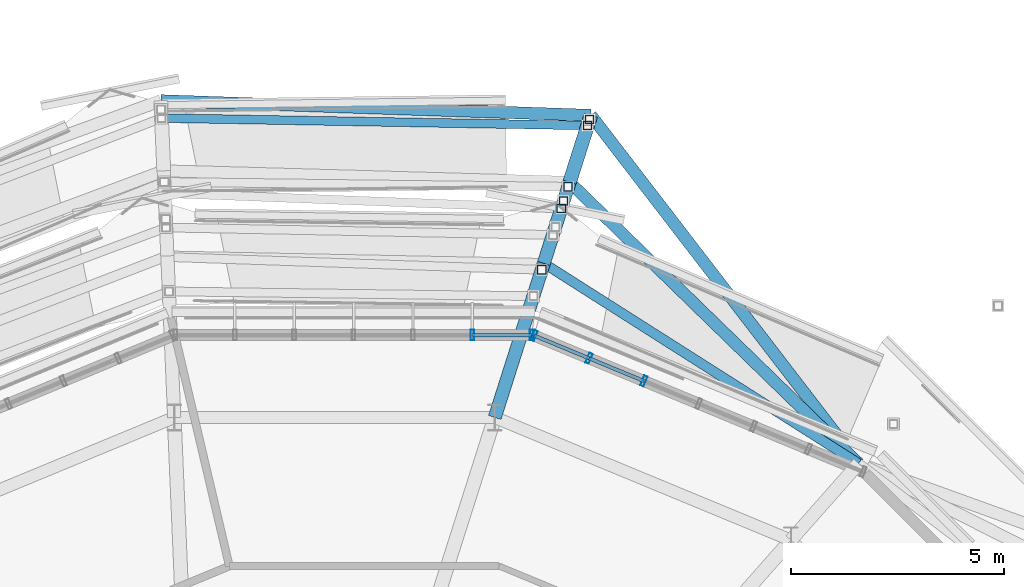
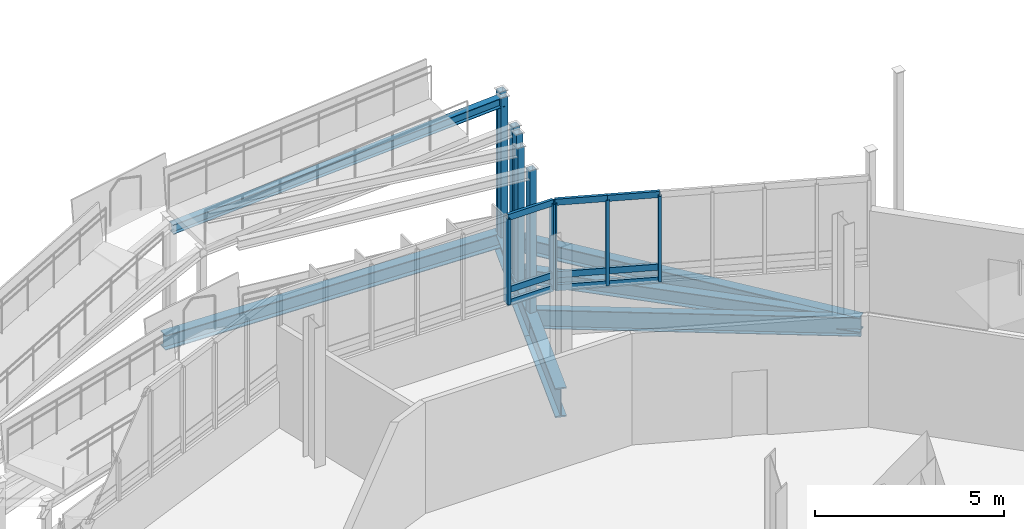
# One storey, part 57 of 139: 20 members, 8 beams, 2 elements without a shape of their own.
"""IFC4 building model written with IfcOpenShell, lengths in metres."""

import ifcopenshell
import ifcopenshell.guid

model = None  # the IFC model being written
_history = None  # IfcOwnerHistory: only IFC2X3 demands one
_inside = {}  # id of a spatial element -> (the spatial element, [elements in it])
_under = {}  # id of a project, library or spatial element -> (it, [spatial elements below it])
_declared = {}  # id of a project -> (the project, [libraries it declares])
_typed = {}  # id of a type object -> (the type object, [elements of that type])
_made_of = {}  # id of a material, layer set ... -> (it, [elements and type objects made of it])


def new_model(schema):
    """Start an empty IFC model of exactly this schema.

    Asked for "IFC4X3", IfcOpenShell would pick the latest addendum, in which some entities
    have other attributes; the version numbers below select the first issue.
    IFC2X3 requires an IfcOwnerHistory on every rooted entity: one is made here for all.
    """
    global model, _history
    if schema == "IFC4X3":
        model = ifcopenshell.file(schema_version=(4, 3, 0, 0))
    else:
        model = ifcopenshell.file(schema=schema)
    _inside.clear()
    _under.clear()
    _declared.clear()
    _typed.clear()
    _made_of.clear()
    _history = None
    if model.schema == "IFC2X3":
        org = make("IfcOrganization", Name="unknown")
        user = make(
            "IfcPersonAndOrganization",
            ThePerson=make("IfcPerson", FamilyName="unknown"),
            TheOrganization=org,
        )
        app = make(
            "IfcApplication",
            ApplicationDeveloper=org,
            Version="unknown",
            ApplicationFullName="unknown",
            ApplicationIdentifier="unknown",
        )
        _history = make(
            "IfcOwnerHistory",
            OwningUser=user,
            OwningApplication=app,
            ChangeAction="ADDED",
            CreationDate=0,
        )
    return model


def make(cls, **values):
    """One entity of the class cls with the attributes given. An attribute that is None is left unset."""
    return model.create_entity(
        cls, **{name: value for name, value in values.items() if value is not None}
    )


def rooted(cls, **values):
    """An entity with a GlobalId (a new one), such as an element, a storey or a relation."""
    return make(cls, GlobalId=ifcopenshell.guid.new(), OwnerHistory=_history, **values)


def si_unit(unit_type, name, prefix=None):
    """IfcSIUnit, for example si_unit("LENGTHUNIT", "METRE", prefix="MILLI")."""
    return make("IfcSIUnit", UnitType=unit_type, Prefix=prefix, Name=name)


def derived_unit(unit_type, elements):
    """IfcDerivedUnit: a product of units, each with its exponent."""
    return make(
        "IfcDerivedUnit",
        Elements=[
            make("IfcDerivedUnitElement", Unit=unit, Exponent=power)
            for unit, power in elements
        ],
        UnitType=unit_type,
    )


def assignment(units):
    """IfcUnitAssignment: the units of a project."""
    return None if units is None else make("IfcUnitAssignment", Units=units)


def point(xyz):
    """IfcCartesianPoint."""
    return None if xyz is None else make("IfcCartesianPoint", Coordinates=xyz)


def direction(xyz):
    """IfcDirection."""
    return None if xyz is None else make("IfcDirection", DirectionRatios=xyz)


def frame(location, z_axis=None, x_axis=None):
    """IfcAxis2Placement3D, a coordinate frame: its origin and axes. An axis left out is left unset."""
    return make(
        "IfcAxis2Placement3D",
        Location=point(location),
        Axis=direction(z_axis),
        RefDirection=direction(x_axis),
    )


def frame_2d(location, x_axis=None):
    """IfcAxis2Placement2D, a coordinate frame in the plane: its origin and x axis."""
    return make(
        "IfcAxis2Placement2D", Location=point(location), RefDirection=direction(x_axis)
    )


def origin():
    """The frame at (0, 0, 0) with its axes left unset."""
    return frame((0.0, 0.0, 0.0))


def origin_2d():
    """The frame at (0, 0) in the plane with its x axis left unset."""
    return frame_2d((0.0, 0.0))


def place(relative_to, where):
    """IfcLocalPlacement: puts the frame where relative to a parent placement (None: the world)."""
    return make(
        "IfcLocalPlacement", PlacementRelTo=relative_to, RelativePlacement=where
    )


def context(
    kind, dimensions, precision=None, world=None, true_north=None, identifier=None
):
    """IfcGeometricRepresentationContext, for example the 3D "Model" context."""
    return make(
        "IfcGeometricRepresentationContext",
        ContextIdentifier=identifier,
        ContextType=kind,
        CoordinateSpaceDimension=dimensions,
        Precision=precision,
        WorldCoordinateSystem=world,
        TrueNorth=true_north,
    )


def subcontext(parent, identifier, kind, view, scale=None):
    """IfcGeometricRepresentationSubContext, for example "Body" below "Model"."""
    return make(
        "IfcGeometricRepresentationSubContext",
        ContextIdentifier=identifier,
        ContextType=kind,
        ParentContext=parent,
        TargetScale=scale,
        TargetView=view,
    )


def project(units=None, contexts=None):
    """IfcProject with its units and contexts."""
    return rooted(
        "IfcProject",
        Name="project",
        RepresentationContexts=contexts,
        UnitsInContext=assignment(units),
    )


def spatial(cls, under=None, at=None, **own):
    """A site, building, storey or space (cls), placed at a placement, below another one or the project."""
    s = rooted(cls, ObjectPlacement=at, **own)
    if under is not None:
        _under.setdefault(under.id(), (under, []))[1].append(s)
    return s


def profile(cls, at=None, kind="AREA", **sizes):
    """A parametric profile (cls). Its sizes go by their IFC names, for example OverallWidth=200.0."""
    return make(cls, ProfileType=kind, Position=at, **sizes)


def hollow_rectangle(**sizes):
    """IfcRectangleHollowProfileDef."""
    return profile("IfcRectangleHollowProfileDef", **sizes)


def i_section(**sizes):
    """IfcIShapeProfileDef."""
    return profile("IfcIShapeProfileDef", **sizes)


def extrude(swept, where, along, depth):
    """IfcExtrudedAreaSolid: the profile swept, set in the frame where, extruded along a direction by depth."""
    return make(
        "IfcExtrudedAreaSolid",
        SweptArea=swept,
        Position=where,
        ExtrudedDirection=direction(along),
        Depth=depth,
    )


def shape(context_of_items, identifier, shape_type, items):
    """IfcShapeRepresentation: the items that make up one representation, for example the "Body"."""
    return make(
        "IfcShapeRepresentation",
        ContextOfItems=context_of_items,
        RepresentationIdentifier=identifier,
        RepresentationType=shape_type,
        Items=items,
    )


def material(Name=None, Category=None):
    """IfcMaterial."""
    return make("IfcMaterial", Name=Name, Category=Category)


def layer(
    of_material, thickness, ventilated=None, Name=None, Category=None, Priority=None
):
    """IfcMaterialLayer: one layer of a wall or slab, of a material (None: an air gap)."""
    return make(
        "IfcMaterialLayer",
        Material=of_material,
        LayerThickness=thickness,
        IsVentilated=ventilated,
        Name=Name,
        Category=Category,
        Priority=Priority,
    )


def layer_set(layers, Name=None):
    """IfcMaterialLayerSet."""
    return make("IfcMaterialLayerSet", MaterialLayers=layers, LayerSetName=Name)


def material_profile(
    of_material, cross_section, Name=None, Category=None, Priority=None
):
    """IfcMaterialProfile: a cross section and its material."""
    return make(
        "IfcMaterialProfile",
        Name=Name,
        Material=of_material,
        Profile=cross_section,
        Priority=Priority,
        Category=Category,
    )


def profile_set(profiles, Name=None, composite=None):
    """IfcMaterialProfileSet."""
    return make(
        "IfcMaterialProfileSet",
        Name=Name,
        MaterialProfiles=profiles,
        CompositeProfile=composite,
    )


def made_of(thing, what):
    """Note that an element or type object is made of a material, layer set ...; save() writes the relation."""
    if what is not None:
        _made_of.setdefault(what.id(), (what, []))[1].append(thing)
    return thing


def type_object(cls, material=None, **own):
    """A type object (cls), such as IfcWallType, which elements share."""
    return made_of(rooted(cls, **own), material)


def element(
    cls,
    number,
    at=None,
    inside=None,
    cuts=None,
    type_object=None,
    material=None,
    context=None,
    identifier="Body",
    shape_type=None,
    held_by="IfcProductDefinitionShape",
    body=None,
    shapes=None,
    **own,
):
    """One element of the class cls, such as IfcWall. Its Tag is "e" and its number.

    at: its placement. inside: the storey or other place that contains it. cuts: it is an
    opening in that element (IfcRelVoidsElement). A single representation is given by context,
    identifier, shape_type and body (its items); several are given by shapes. held_by: the class
    of the entity that holds the representations. save() writes the other relations.
    """
    e = rooted(cls, Tag="e%d" % number, ObjectPlacement=at, **own)
    if body is not None:
        shapes = [shape(context, identifier, shape_type, body)]
    if shapes is not None:
        e.Representation = make(held_by, Representations=shapes)
    if inside is not None:
        _inside.setdefault(inside.id(), (inside, []))[1].append(e)
    if cuts is not None:
        rooted(
            "IfcRelVoidsElement", RelatingBuildingElement=cuts, RelatedOpeningElement=e
        )
    if type_object is not None:
        _typed.setdefault(type_object.id(), (type_object, []))[1].append(e)
    return made_of(e, material)


def aggregate(whole, parts):
    """IfcRelAggregates: a whole, such as a stair, and the parts it consists of."""
    return rooted("IfcRelAggregates", RelatingObject=whole, RelatedObjects=parts)


def save(model, path):
    """Write the relations noted so far, then the file.

    IfcRelAggregates (storeys below a building ...), IfcRelContainedInSpatialStructure (elements
    in a storey), IfcRelDefinesByType, IfcRelAssociatesMaterial and IfcRelDeclares: one each for
    every whole, place, type object, material and project.
    """
    for whole, parts in _under.values():
        aggregate(whole, parts)
    for where, things in _inside.values():
        rooted(
            "IfcRelContainedInSpatialStructure",
            RelatedElements=things,
            RelatingStructure=where,
        )
    for kind, things in _typed.values():
        rooted("IfcRelDefinesByType", RelatedObjects=things, RelatingType=kind)
    for what, things in _made_of.values():
        rooted("IfcRelAssociatesMaterial", RelatedObjects=things, RelatingMaterial=what)
    for by, libraries in _declared.values():
        rooted("IfcRelDeclares", RelatingContext=by, RelatedDefinitions=libraries)
    model.write(path)


model = new_model("IFC4")

# Units and contexts
model_context = context("Model", 3, precision=1e-05, world=origin(), true_north=direction((0.0, 1.0)))
body_context = subcontext(model_context, "Body", "Model", "MODEL_VIEW")
ifc_project = project(units=[si_unit("LENGTHUNIT", "METRE"), si_unit("AREAUNIT", "SQUARE_METRE"), si_unit("VOLUMEUNIT", "CUBIC_METRE"), si_unit("PLANEANGLEUNIT", "RADIAN"), si_unit("MASSUNIT", "GRAM", prefix="KILO"), derived_unit("THERMALTRANSMITTANCEUNIT", [(si_unit("MASSUNIT", "GRAM", prefix="KILO"), 1), (si_unit("TIMEUNIT", "SECOND"), -3), (si_unit("THERMODYNAMICTEMPERATUREUNIT", "KELVIN"), -1)])], contexts=[model_context])

# Site, building, storey
site_placement = place(None, origin())
site = spatial("IfcSite", under=ifc_project, at=site_placement, CompositionType="ELEMENT")
building_placement = place(site_placement, origin())
building = spatial("IfcBuilding", under=site, at=building_placement, Name="Makaiwela Harbour Ferry Terminal", CompositionType="ELEMENT")
storey_placement = place(building_placement, frame((0.0, 0.0, 5.10009765625)))
storey = spatial("IfcBuildingStorey", under=building, at=storey_placement, Name="L01", CompositionType="ELEMENT", Elevation=5.10009765625)

# Curtain wall, members
ifc_material_1 = material(Name="Marine anodised aluminium 6063-T6", Category="aluminium")
ifc_layer = layer(ifc_material_1, 0.199951171875)
ifc_layer_set = layer_set([ifc_layer], Name="Marine anodised aluminium 6063-T6")
curtain_wall_type = type_object("IfcCurtainWallType", Name="ENV-CW-03", PredefinedType="USERDEFINED", material=ifc_layer_set)
curtain_wall_1_placement = place(storey_placement, origin())
curtain_wall_1 = element("IfcCurtainWall", 1, at=curtain_wall_1_placement, inside=storey, type_object=curtain_wall_type, Name="Unitised Curtain Wall CWA-011", ObjectType="UNITIZED CURTAIN WALL", PredefinedType="USERDEFINED")
ifc_material_profile_1 = material_profile(ifc_material_1, hollow_rectangle(XDim=0.0849609375, YDim=0.25, WallThickness=0.0048828125, at=origin_2d()), Name="CWM-250X85")
ifc_profile_set_1 = profile_set([ifc_material_profile_1], Name="Marine anodised aluminium 6063-T6")
member_type_1 = type_object("IfcMemberType", Name="CW-MUL-250", PredefinedType="MULLION", material=ifc_profile_set_1)
member_1_placement = place(storey_placement, frame((44.36865234375, 87.885986328125, 1.47998046875), z_axis=(0.0, 0.0, 1.0), x_axis=(-0.923879532511, 0.382683432365, 0.0)))
member_1 = element("IfcMember", 2, at=member_1_placement, type_object=member_type_1, Name="Curtain Wall Mullion CWA-011-5", PredefinedType="MULLION", context=body_context, shape_type="SweptSolid", body=[
    extrude(hollow_rectangle(XDim=0.0849609375, YDim=0.25, WallThickness=0.0048828125, at=origin_2d()), origin(), (0.0, 0.0, 1.0), 2.760009765625),
])
member_2_placement = place(storey_placement, frame((43.080078125, 88.419921875, 1.47998046875), z_axis=(0.0, 0.0, 1.0), x_axis=(-0.923879532511, 0.382683432365, 0.0)))
member_2 = element("IfcMember", 3, at=member_2_placement, type_object=member_type_1, Name="Curtain Wall Mullion CWA-011-6", PredefinedType="MULLION", context=body_context, shape_type="SweptSolid", body=[
    extrude(hollow_rectangle(XDim=0.0849609375, YDim=0.25, WallThickness=0.0048828125, at=origin_2d()), origin(), (0.0, 0.0, 1.0), 2.760009765625),
])
member_3_placement = place(storey_placement, frame((41.791748046875, 88.95361328125, 1.47998046875), z_axis=(0.0, 0.0, 1.0), x_axis=(-0.923879532511, 0.382683432365, 0.0)))
member_3 = element("IfcMember", 4, at=member_3_placement, type_object=member_type_1, Name="Curtain Wall Mullion CWA-011-7", PredefinedType="MULLION", context=body_context, shape_type="SweptSolid", body=[
    extrude(hollow_rectangle(XDim=0.0849609375, YDim=0.25, WallThickness=0.0048828125, at=origin_2d()), origin(), (0.0, 0.0, 1.0), 2.760009765625),
])

curtain_wall_2_placement = place(storey_placement, origin())
curtain_wall_2 = element("IfcCurtainWall", 5, at=curtain_wall_2_placement, inside=storey, type_object=curtain_wall_type, Name="Unitised Curtain Wall CWA-012", ObjectType="UNITIZED CURTAIN WALL", PredefinedType="USERDEFINED")
member_4_placement = place(storey_placement, frame((41.73388671875, 88.965087890625, 1.47998046875), z_axis=(0.0, 0.0, 1.0), x_axis=(1.0, 0.0, 0.0)))
member_4 = element("IfcMember", 6, at=member_4_placement, type_object=member_type_1, Name="Curtain Wall Mullion CWA-012-1", PredefinedType="MULLION", context=body_context, shape_type="SweptSolid", body=[
    extrude(hollow_rectangle(XDim=0.0849609375, YDim=0.25, WallThickness=0.0048828125, at=origin_2d()), origin(), (0.0, 0.0, 1.0), 2.760009765625),
])
member_5_placement = place(storey_placement, frame((40.33935546875, 88.965087890625, 1.47998046875), z_axis=(0.0, 0.0, 1.0), x_axis=(1.0, 0.0, 0.0)))
member_5 = element("IfcMember", 7, at=member_5_placement, type_object=member_type_1, Name="Curtain Wall Mullion CWA-012-2", PredefinedType="MULLION", context=body_context, shape_type="SweptSolid", body=[
    extrude(hollow_rectangle(XDim=0.0849609375, YDim=0.25, WallThickness=0.0048828125, at=origin_2d()), origin(), (0.0, 0.0, 1.0), 2.760009765625),
])

# Member
ifc_material_profile_2 = material_profile(ifc_material_1, hollow_rectangle(XDim=0.0849609375, YDim=0.199951171875, WallThickness=0.0048828125, at=origin_2d()), Name="CWT-200X85")
ifc_profile_set_2 = profile_set([ifc_material_profile_2], Name="Marine anodised aluminium 6063-T6")
member_type_2 = type_object("IfcMemberType", Name="CW-TRN-200", PredefinedType="USERDEFINED", material=ifc_profile_set_2)
member_6_placement = place(storey_placement, frame((44.36865234375, 87.885986328125, 1.47998046875), z_axis=(-0.923831205032, 0.382800084389, 0.0), x_axis=(-0.382800084389, -0.923831205032, 0.0)))
member_6 = element("IfcMember", 8, at=member_6_placement, type_object=member_type_2, Name="Curtain Wall Transom CWA-011-5-1", ObjectType="TRANSOM", PredefinedType="USERDEFINED", context=body_context, shape_type="SweptSolid", body=[
    extrude(hollow_rectangle(XDim=0.0849609375, YDim=0.199951171875, WallThickness=0.0048828125, at=origin_2d()), origin(), (0.0, 0.0, 1.0), 1.394775390625),
])

member_7_placement = place(storey_placement, frame((44.36865234375, 87.885986328125, 1.89990234375), z_axis=(-0.923831205032, 0.382800084389, 0.0), x_axis=(-0.382800084389, -0.923831205032, 0.0)))
member_7 = element("IfcMember", 9, at=member_7_placement, type_object=member_type_2, Name="Curtain Wall Transom CWA-011-5-2", ObjectType="TRANSOM", PredefinedType="USERDEFINED", context=body_context, shape_type="SweptSolid", body=[
    extrude(hollow_rectangle(XDim=0.0849609375, YDim=0.199951171875, WallThickness=0.0048828125, at=origin_2d()), origin(), (0.0, 0.0, 1.0), 1.394775390625),
])

member_8_placement = place(storey_placement, frame((44.36865234375, 87.885986328125, 4.239990234375), z_axis=(-0.923831205032, 0.382800084389, 0.0), x_axis=(-0.382800084389, -0.923831205032, 0.0)))
member_8 = element("IfcMember", 10, at=member_8_placement, type_object=member_type_2, Name="Curtain Wall Transom CWA-011-5-3", ObjectType="TRANSOM", PredefinedType="USERDEFINED", context=body_context, shape_type="SweptSolid", body=[
    extrude(hollow_rectangle(XDim=0.0849609375, YDim=0.199951171875, WallThickness=0.0048828125, at=origin_2d()), origin(), (0.0, 0.0, 1.0), 1.394775390625),
])

member_9_placement = place(storey_placement, frame((43.080078125, 88.419921875, 1.47998046875), z_axis=(-0.923867459974, 0.382712576749, 0.0), x_axis=(-0.382712576749, -0.923867459974, 0.0)))
member_9 = element("IfcMember", 11, at=member_9_placement, type_object=member_type_2, Name="Curtain Wall Transom CWA-011-6-1", ObjectType="TRANSOM", PredefinedType="USERDEFINED", context=body_context, shape_type="SweptSolid", body=[
    extrude(hollow_rectangle(XDim=0.0849609375, YDim=0.199951171875, WallThickness=0.0048828125, at=origin_2d()), origin(), (0.0, 0.0, 1.0), 1.39453125),
])

member_10_placement = place(storey_placement, frame((43.080078125, 88.419921875, 1.89990234375), z_axis=(-0.923867459974, 0.382712576749, 0.0), x_axis=(-0.382712576749, -0.923867459974, 0.0)))
member_10 = element("IfcMember", 12, at=member_10_placement, type_object=member_type_2, Name="Curtain Wall Transom CWA-011-6-2", ObjectType="TRANSOM", PredefinedType="USERDEFINED", context=body_context, shape_type="SweptSolid", body=[
    extrude(hollow_rectangle(XDim=0.0849609375, YDim=0.199951171875, WallThickness=0.0048828125, at=origin_2d()), origin(), (0.0, 0.0, 1.0), 1.39453125),
])

member_11_placement = place(storey_placement, frame((43.080078125, 88.419921875, 4.239990234375), z_axis=(-0.923867459974, 0.382712576749, 0.0), x_axis=(-0.382712576749, -0.923867459974, 0.0)))
member_11 = element("IfcMember", 13, at=member_11_placement, type_object=member_type_2, Name="Curtain Wall Transom CWA-011-6-3", ObjectType="TRANSOM", PredefinedType="USERDEFINED", context=body_context, shape_type="SweptSolid", body=[
    extrude(hollow_rectangle(XDim=0.0849609375, YDim=0.199951171875, WallThickness=0.0048828125, at=origin_2d()), origin(), (0.0, 0.0, 1.0), 1.39453125),
])

aggregate(curtain_wall_1, [member_1, member_2, member_3, member_6, member_7, member_8, member_9, member_10, member_11])

member_12_placement = place(storey_placement, frame((41.73388671875, 88.965087890625, 1.47998046875), z_axis=(-1.0, 0.0, 0.0), x_axis=(0.0, -1.0, 0.0)))
member_12 = element("IfcMember", 14, at=member_12_placement, type_object=member_type_2, Name="Curtain Wall Transom CWA-012-1-1", ObjectType="TRANSOM", PredefinedType="USERDEFINED", context=body_context, shape_type="SweptSolid", body=[
    extrude(hollow_rectangle(XDim=0.0849609375, YDim=0.199951171875, WallThickness=0.0048828125, at=origin_2d()), origin(), (0.0, 0.0, 1.0), 1.39453125),
])

member_13_placement = place(storey_placement, frame((41.73388671875, 88.965087890625, 1.89990234375), z_axis=(-1.0, 0.0, 0.0), x_axis=(0.0, -1.0, 0.0)))
member_13 = element("IfcMember", 15, at=member_13_placement, type_object=member_type_2, Name="Curtain Wall Transom CWA-012-1-2", ObjectType="TRANSOM", PredefinedType="USERDEFINED", context=body_context, shape_type="SweptSolid", body=[
    extrude(hollow_rectangle(XDim=0.0849609375, YDim=0.199951171875, WallThickness=0.0048828125, at=origin_2d()), origin(), (0.0, 0.0, 1.0), 1.39453125),
])

member_14_placement = place(storey_placement, frame((41.73388671875, 88.965087890625, 4.239990234375), z_axis=(-1.0, 0.0, 0.0), x_axis=(0.0, -1.0, 0.0)))
member_14 = element("IfcMember", 16, at=member_14_placement, type_object=member_type_2, Name="Curtain Wall Transom CWA-012-1-3", ObjectType="TRANSOM", PredefinedType="USERDEFINED", context=body_context, shape_type="SweptSolid", body=[
    extrude(hollow_rectangle(XDim=0.0849609375, YDim=0.199951171875, WallThickness=0.0048828125, at=origin_2d()), origin(), (0.0, 0.0, 1.0), 1.39453125),
])

aggregate(curtain_wall_2, [member_4, member_5, member_12, member_13, member_14])

# Beams
ifc_material_2 = material(Name="Steel ASTM A992 Grade 50", Category="steel")
ifc_material_profile_3 = material_profile(ifc_material_2, i_section(OverallWidth=0.280029296875, OverallDepth=0.462890625, WebThickness=0.0107421875, FlangeThickness=0.017333984375, at=origin_2d()), Name="W18X76")
ifc_profile_set_3 = profile_set([ifc_material_profile_3], Name="Steel ASTM A992 Grade 50")
beam_type_1 = type_object("IfcBeamType", Name="STR-BM-W18X76", PredefinedType="BEAM", material=ifc_profile_set_3)
beam_1_placement = place(storey_placement, frame((49.41357421875, 85.948486328125, -0.51171875), z_axis=(-0.716665363012, 0.697417204734, 0.0), x_axis=(-0.697417204734, -0.716665363012, 0.0)))
element("IfcBeam", 17, at=beam_1_placement, inside=storey, type_object=beam_type_1, Name="Drum stage2 tie girder 83", PredefinedType="BEAM", context=body_context, shape_type="SweptSolid", body=[
    extrude(i_section(OverallWidth=0.280029296875, OverallDepth=0.462890625, WebThickness=0.0107421875, FlangeThickness=0.017333984375, at=origin_2d()), origin(), (0.0, 0.0, 1.0), 9.474853515625),
])
ifc_material_profile_4 = material_profile(ifc_material_2, i_section(OverallWidth=0.324951171875, OverallDepth=0.615966796875, WebThickness=0.013916015625, FlangeThickness=0.021484375, at=origin_2d()), Name="W24X117")
ifc_profile_set_4 = profile_set([ifc_material_profile_4], Name="Steel ASTM A992 Grade 50")
beam_type_2 = type_object("IfcBeamType", Name="STR-GRD-W24X117", PredefinedType="USERDEFINED", material=ifc_profile_set_4)
beam_2_placement = place(storey_placement, frame((42.623291015625, 92.556396484375, -0.588134765625), z_axis=(0.303191442056, 0.952929666588, 0.0), x_axis=(-0.952929666588, 0.303191442056, 0.0)))
element("IfcBeam", 18, at=beam_2_placement, inside=storey, type_object=beam_type_2, Name="Promenade terrace bracket 40", ObjectType="GIRDER", PredefinedType="USERDEFINED", context=body_context, shape_type="SweptSolid", body=[
    extrude(i_section(OverallWidth=0.324951171875, OverallDepth=0.615966796875, WebThickness=0.013916015625, FlangeThickness=0.021484375, at=origin_2d()), origin(), (0.0, 0.0, 1.0), 1.64990234375),
])
ifc_material_profile_5 = material_profile(ifc_material_2, i_section(OverallWidth=0.22900390625, OverallDepth=0.612060546875, WebThickness=0.011962890625, FlangeThickness=0.01953125, at=origin_2d()), Name="W24X84")
ifc_profile_set_5 = profile_set([ifc_material_profile_5], Name="Steel ASTM A992 Grade 50")
beam_type_3 = type_object("IfcBeamType", Name="STR-GRD-W24X84", PredefinedType="USERDEFINED", material=ifc_profile_set_5)
beam_3_placement = place(storey_placement, frame((49.41357421875, 85.948486328125, -0.586181640625), z_axis=(-0.843917173122, 0.536473489476, 0.0), x_axis=(-0.536473489476, -0.843917173122, 0.0)))
element("IfcBeam", 19, at=beam_3_placement, inside=storey, type_object=beam_type_3, Name="Drum overhang tie girder 82", ObjectType="GIRDER", PredefinedType="USERDEFINED", context=body_context, shape_type="SweptSolid", body=[
    extrude(i_section(OverallWidth=0.22900390625, OverallDepth=0.612060546875, WebThickness=0.011962890625, FlangeThickness=0.01953125, at=origin_2d()), origin(), (0.0, 0.0, 1.0), 8.764404296875),
])
ifc_material_profile_6 = material_profile(ifc_material_2, i_section(OverallWidth=0.31005859375, OverallDepth=0.949951171875, WebThickness=0.0244140625, FlangeThickness=0.0439453125, at=origin_2d()), Name="W36X256")
ifc_profile_set_6 = profile_set([ifc_material_profile_6], Name="Steel ASTM A992 Grade 50")
beam_type_4 = type_object("IfcBeamType", Name="STR-GRD-W36X256", PredefinedType="USERDEFINED", material=ifc_profile_set_6)
beam_4_placement = place(storey_placement, frame((40.865234375, 87.029296875, -0.755126953125), z_axis=(0.303129401711, 0.952949403598, 0.0), x_axis=(-0.952949403598, 0.303129401711, 0.0)))
element("IfcBeam", 20, at=beam_4_placement, inside=storey, type_object=beam_type_4, Name="Drum radial overhang 38", ObjectType="GIRDER", PredefinedType="USERDEFINED", context=body_context, shape_type="SweptSolid", body=[
    extrude(i_section(OverallWidth=0.31005859375, OverallDepth=0.949951171875, WebThickness=0.0244140625, FlangeThickness=0.0439453125, at=origin_2d()), origin(), (0.0, 0.0, 1.0), 3.7998046875),
])
beam_5_placement = place(storey_placement, frame((42.01708984375, 90.650390625, -0.755126953125), z_axis=(0.303087773296, 0.95296264443, 0.0), x_axis=(-0.95296264443, 0.303087773296, 0.0)))
element("IfcBeam", 21, at=beam_5_placement, inside=storey, type_object=beam_type_4, Name="Drum overhang radial girder 39", ObjectType="GIRDER", PredefinedType="USERDEFINED", context=body_context, shape_type="SweptSolid", body=[
    extrude(i_section(OverallWidth=0.31005859375, OverallDepth=0.949951171875, WebThickness=0.0244140625, FlangeThickness=0.0439453125, at=origin_2d()), origin(), (0.0, 0.0, 1.0), 2.0),
])
ifc_material_profile_7 = material_profile(ifc_material_2, i_section(OverallWidth=0.205078125, OverallDepth=0.31005859375, WebThickness=0.009521484375, FlangeThickness=0.016357421875, at=origin_2d()), Name="W12X50")
ifc_profile_set_7 = profile_set([ifc_material_profile_7], Name="Steel ASTM A992 Grade 50")
beam_type_5 = type_object("IfcBeamType", Name="STR-LNT-W12X50", PredefinedType="LINTEL", material=ifc_profile_set_7)
beam_6_placement = place(storey_placement, frame((33.036376953125, 94.06396484375, 3.352783203125), z_axis=(0.997171196645, -0.017387572384, 0.073125077145), x_axis=(0.017434247739, 0.999848011953, 0.0)))
element("IfcBeam", 22, at=beam_6_placement, inside=storey, type_object=beam_type_5, Name="Coiled Ramp Stringer L01-FO3-OUT", PredefinedType="LINTEL", context=body_context, shape_type="SweptSolid", body=[
    extrude(i_section(OverallWidth=0.205078125, OverallDepth=0.31005859375, WebThickness=0.009521484375, FlangeThickness=0.016357421875, at=origin_2d()), origin(), (0.0, 0.0, 1.0), 10.039306640625),
])

# Members
ifc_material_3 = material(Name="Steel ASTM A500 Grade C", Category="steel")
ifc_material_profile_8 = material_profile(ifc_material_3, hollow_rectangle(XDim=0.202880859375, YDim=0.202880859375, WallThickness=0.01171875, at=origin_2d()), Name="HSS8X8X1/2")
ifc_profile_set_8 = profile_set([ifc_material_profile_8], Name="Steel ASTM A500 Grade C")
member_type_3 = type_object("IfcMemberType", Name="STR-PST-HSS8", PredefinedType="POST", material=ifc_profile_set_8)
member_15_placement = place(storey_placement, frame((41.968994140625, 90.498779296875, -0.300048828125), z_axis=(0.0, 0.0, 1.0), x_axis=(1.0, 0.0, 0.0)))
element("IfcMember", 23, at=member_15_placement, inside=storey, type_object=member_type_3, Name="Exterior Ramp Support Post RP-0080", PredefinedType="POST", context=body_context, shape_type="SweptSolid", body=[
    extrude(hollow_rectangle(XDim=0.202880859375, YDim=0.202880859375, WallThickness=0.01171875, at=origin_2d()), origin(), (0.0, 0.0, 1.0), 4.625),
])
member_16_placement = place(storey_placement, frame((42.427001953125, 91.938720703125, -0.300048828125), z_axis=(0.0, 0.0, 1.0), x_axis=(1.0, 0.0, 0.0)))
element("IfcMember", 24, at=member_16_placement, inside=storey, type_object=member_type_3, Name="Exterior Ramp Support Post RP-0086", PredefinedType="POST", context=body_context, shape_type="SweptSolid", body=[
    extrude(hollow_rectangle(XDim=0.202880859375, YDim=0.202880859375, WallThickness=0.01171875, at=origin_2d()), origin(), (0.0, 0.0, 1.0), 4.31884765625),
])
for number, where, z_axis, x_axis, name in (
    (25, (42.484130859375, 92.118896484375, -0.300048828125), (0.0, 0.0, 1.0), (1.0, 0.0, 0.0), "Exterior Ramp Support Post RP-0087"),
    (26, (42.589599609375, 92.450439453125, -0.300048828125), (0.0, 0.0, 1.0), (1.0, 0.0, 0.0), "Exterior Ramp Support Post RP-0088"),
):
    element("IfcMember", number, at=place(storey_placement, frame(where, z_axis=z_axis, x_axis=x_axis)), inside=storey, type_object=member_type_3, Name=name, PredefinedType="POST", context=body_context, shape_type="SweptSolid", body=[
        extrude(hollow_rectangle(XDim=0.202880859375, YDim=0.202880859375, WallThickness=0.01171875, at=origin_2d()), origin(), (0.0, 0.0, 1.0), 4.625),
    ])
member_17_placement = place(storey_placement, frame((43.04736328125, 93.889404296875, -0.300048828125), z_axis=(0.0, 0.0, 1.0), x_axis=(1.0, 0.0, 0.0)))
element("IfcMember", 27, at=member_17_placement, inside=storey, type_object=member_type_3, Name="Exterior Ramp Support Post RP-0092", PredefinedType="POST", context=body_context, shape_type="SweptSolid", body=[
    extrude(hollow_rectangle(XDim=0.202880859375, YDim=0.202880859375, WallThickness=0.01171875, at=origin_2d()), origin(), (0.0, 0.0, 1.0), 4.5419921875),
])
member_18_placement = place(storey_placement, frame((43.09326171875, 94.033447265625, -0.300048828125), z_axis=(0.0, 0.0, 1.0), x_axis=(1.0, 0.0, 0.0)))
element("IfcMember", 28, at=member_18_placement, inside=storey, type_object=member_type_3, Name="Exterior Ramp Support Post RP-0093", PredefinedType="POST", context=body_context, shape_type="SweptSolid", body=[
    extrude(hollow_rectangle(XDim=0.202880859375, YDim=0.202880859375, WallThickness=0.01171875, at=origin_2d()), origin(), (0.0, 0.0, 1.0), 4.625),
])

# Beams
ifc_material_profile_9 = material_profile(ifc_material_2, i_section(OverallWidth=0.283935546875, OverallDepth=0.47607421875, WebThickness=0.014892578125, FlangeThickness=0.02392578125, at=origin_2d()), Name="W18X106")
ifc_profile_set_9 = profile_set([ifc_material_profile_9], Name="Steel ASTM A992 Grade 50")
beam_type_6 = type_object("IfcBeamType", Name="STR-SPN-W18X106", PredefinedType="SPANDREL", material=ifc_profile_set_9)
beam_7_placement = place(storey_placement, frame((49.41357421875, 85.948486328125, -0.51806640625), z_axis=(-0.60956439553, 0.792736556305, 0.0), x_axis=(-0.792736556305, -0.60956439553, 0.0)))
element("IfcBeam", 29, at=beam_7_placement, inside=storey, type_object=beam_type_6, Name="Drum perimeter spandrel 105", PredefinedType="SPANDREL", context=body_context, shape_type="SweptSolid", body=[
    extrude(i_section(OverallWidth=0.283935546875, OverallDepth=0.47607421875, WebThickness=0.014892578125, FlangeThickness=0.02392578125, at=origin_2d()), origin(), (0.0, 0.0, 1.0), 10.31884765625),
])
beam_8_placement = place(storey_placement, frame((43.12353515625, 94.128662109375, -0.51806640625), z_axis=(-0.999421837836, 0.033999853766, 0.0), x_axis=(-0.033999853766, -0.999421837836, 0.0)))
element("IfcBeam", 30, at=beam_8_placement, inside=storey, type_object=beam_type_6, Name="Drum perimeter spandrel 106", PredefinedType="SPANDREL", context=body_context, shape_type="SweptSolid", body=[
    extrude(i_section(OverallWidth=0.283935546875, OverallDepth=0.47607421875, WebThickness=0.014892578125, FlangeThickness=0.02392578125, at=origin_2d()), origin(), (0.0, 0.0, 1.0), 10.1103515625),
])

save(model, "model.ifc")
